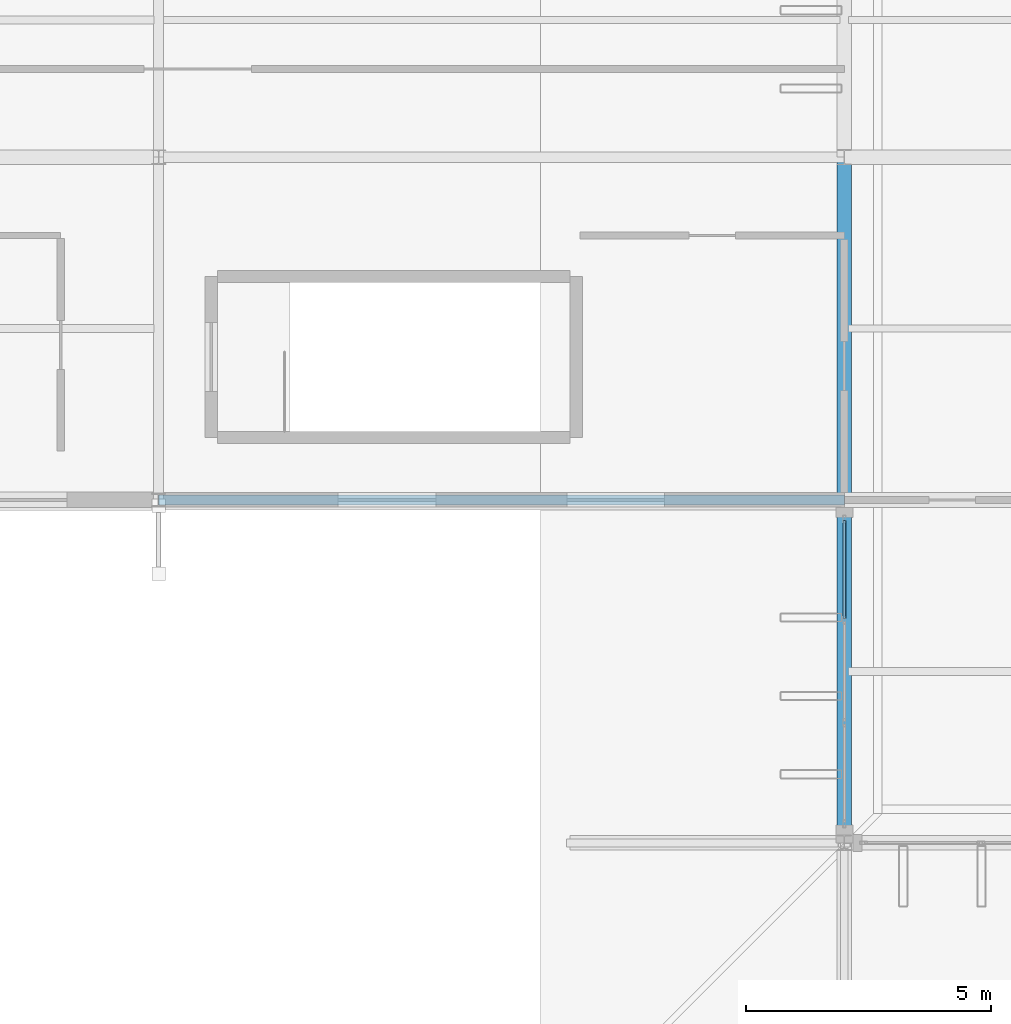
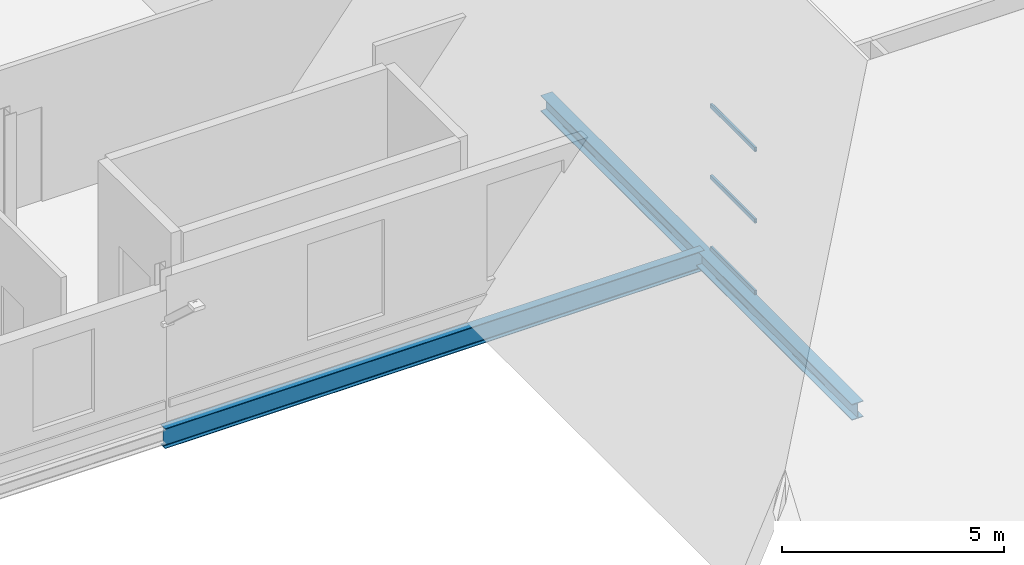
# One storey, part 19 of 93: 3 members, 2 beams, 1 element without a shape of its own.
"""IFC4 building model written with IfcOpenShell, lengths in metres."""

from ifc_helpers import new_model, si_unit, direction, frame, origin, origin_2d, place, context, subcontext, project, spatial, hollow_rectangle, i_section, extrude, material, layer, layer_set, material_profile, profile_set, type_object, element, aggregate, save


model = new_model("IFC4")

# Units and contexts
model_context = context("Model", 3, precision=1e-05, world=origin(), true_north=direction((0.0, 1.0)))
body_context = subcontext(model_context, "Body", "Model", "MODEL_VIEW")
ifc_project = project(units=[si_unit("LENGTHUNIT", "METRE"), si_unit("AREAUNIT", "SQUARE_METRE"), si_unit("VOLUMEUNIT", "CUBIC_METRE"), si_unit("PLANEANGLEUNIT", "RADIAN"), si_unit("MASSUNIT", "GRAM", prefix="KILO")], contexts=[model_context])

# Site, building, storey
site_placement = place(None, origin())
site = spatial("IfcSite", under=ifc_project, at=site_placement, CompositionType="ELEMENT")
building_placement = place(site_placement, origin())
building = spatial("IfcBuilding", under=site, at=building_placement, Name="Vekula Escarpment Museum", CompositionType="ELEMENT")
storey_placement = place(building_placement, frame((0.0, 0.0, 22.199951171875)))
storey = spatial("IfcBuildingStorey", under=building, at=storey_placement, Name="L05", CompositionType="ELEMENT", Elevation=22.199951171875)

# Beams
ifc_material_1 = material(Name="Steel S355", Category="steel")
ifc_material_profile_1 = material_profile(ifc_material_1, i_section(OverallWidth=0.2099609375, OverallDepth=0.550048828125, WebThickness=0.010986328125, FlangeThickness=0.01708984375, FilletRadius=0.02392578125, at=origin_2d()), Name="IPE 550")
ifc_profile_set_1 = profile_set([ifc_material_profile_1], Name="Steel S355")
beam_type_1 = type_object("IfcBeamType", Name="BM-GIRD-IPE550", PredefinedType="BEAM", material=ifc_profile_set_1)
beam_1_placement = place(storey_placement, frame((56.0, 52.60009765625, -0.494873046875), z_axis=(1.0, 0.0, 0.0), x_axis=(0.0, 1.0, 0.0)))
element("IfcBeam", 1, at=beam_1_placement, inside=storey, type_object=beam_type_1, Name="Beam X L05 1965", PredefinedType="BEAM", context=body_context, shape_type="SweptSolid", body=[
    extrude(i_section(OverallWidth=0.2099609375, OverallDepth=0.550048828125, WebThickness=0.010986328125, FlangeThickness=0.01708984375, FilletRadius=0.02392578125, at=origin_2d()), origin(), (0.0, 0.0, 1.0), 14.0),
])
ifc_material_2 = material(Name="Steel S355", Category="steel")
ifc_material_profile_2 = material_profile(ifc_material_2, i_section(OverallWidth=0.300048828125, OverallDepth=0.43994140625, WebThickness=0.011474609375, FlangeThickness=0.02099609375, FilletRadius=0.027099609375, at=origin_2d()), Name="HEA 450")
ifc_profile_set_2 = profile_set([ifc_material_profile_2], Name="Steel S355")
beam_type_2 = type_object("IfcBeamType", Name="BM-SPAN-HEA450", PredefinedType="SPANDREL", material=ifc_profile_set_2)
beam_2_placement = place(storey_placement, frame((70.0, 45.60009765625, -0.43994140625), z_axis=(0.0, 1.0, 0.0), x_axis=(-1.0, 0.0, 0.0)))
element("IfcBeam", 2, at=beam_2_placement, inside=storey, type_object=beam_type_2, Name="Beam Y L05 2122", PredefinedType="SPANDREL", context=body_context, shape_type="SweptSolid", body=[
    extrude(i_section(OverallWidth=0.300048828125, OverallDepth=0.43994140625, WebThickness=0.011474609375, FlangeThickness=0.02099609375, FilletRadius=0.027099609375, at=origin_2d()), origin(), (0.0, 0.0, 1.0), 14.0),
])

# Curtain wall, members
ifc_material_3 = material(Name="Aluminium thermally broken framing", Category="aluminium")
ifc_layer = layer(ifc_material_3, 0.159912109375)
ifc_layer_set = layer_set([ifc_layer], Name="Aluminium thermally broken framing")
curtain_wall_type = type_object("IfcCurtainWallType", Name="CW-SYS-02", PredefinedType="NOTDEFINED", material=ifc_layer_set)
curtain_wall_placement = place(storey_placement, origin())
curtain_wall = element("IfcCurtainWall", 3, at=curtain_wall_placement, inside=storey, type_object=curtain_wall_type, Name="Curtain Wall CW-L05-162", PredefinedType="NOTDEFINED")
ifc_material_4 = material(Name="Aluminium anodized transom", Category="aluminium")
ifc_material_profile_3 = material_profile(ifc_material_4, hollow_rectangle(XDim=0.06005859375, YDim=0.1201171875, WallThickness=0.00390625, InnerFilletRadius=0.00390625, OuterFilletRadius=0.008056640625, at=origin_2d()), Name="ALU 120x60x4")
ifc_profile_set_3 = profile_set([ifc_material_profile_3], Name="Aluminium anodized transom")
member_type = type_object("IfcMemberType", Name="CW-TRN-120", PredefinedType="USERDEFINED", material=ifc_profile_set_3)
member_1_placement = place(storey_placement, frame((70.0, 52.179931640625, 0.030029296875), z_axis=(0.0, -1.0, 0.0), x_axis=(1.0, 0.0, 0.0)))
member_1 = element("IfcMember", 4, at=member_1_placement, type_object=member_type, Name="CW-02 transom 1.1", ObjectType="TRANSOM", PredefinedType="USERDEFINED", context=body_context, shape_type="SweptSolid", body=[
    extrude(hollow_rectangle(XDim=0.06005859375, YDim=0.1201171875, WallThickness=0.00390625, InnerFilletRadius=0.00390625, OuterFilletRadius=0.008056640625, at=origin_2d()), origin(), (0.0, 0.0, 1.0), 2.003173828125),
])
member_2_placement = place(storey_placement, frame((70.0, 52.179931640625, 1.989990234375), z_axis=(0.0, -1.0, 0.0), x_axis=(1.0, 0.0, 0.0)))
member_2 = element("IfcMember", 5, at=member_2_placement, type_object=member_type, Name="CW-02 transom 1.2", ObjectType="TRANSOM", PredefinedType="USERDEFINED", context=body_context, shape_type="SweptSolid", body=[
    extrude(hollow_rectangle(XDim=0.06005859375, YDim=0.1201171875, WallThickness=0.00390625, InnerFilletRadius=0.00390625, OuterFilletRadius=0.008056640625, at=origin_2d()), origin(), (0.0, 0.0, 1.0), 2.003173828125),
])
member_3_placement = place(storey_placement, frame((70.0, 52.179931640625, 3.949951171875), z_axis=(0.0, -1.0, 0.0), x_axis=(1.0, 0.0, 0.0)))
member_3 = element("IfcMember", 6, at=member_3_placement, type_object=member_type, Name="CW-02 transom 1.3", ObjectType="TRANSOM", PredefinedType="USERDEFINED", context=body_context, shape_type="SweptSolid", body=[
    extrude(hollow_rectangle(XDim=0.06005859375, YDim=0.1201171875, WallThickness=0.00390625, InnerFilletRadius=0.00390625, OuterFilletRadius=0.008056640625, at=origin_2d()), origin(), (0.0, 0.0, 1.0), 2.003173828125),
])
aggregate(curtain_wall, [member_1, member_2, member_3])

save(model, "model.ifc")
